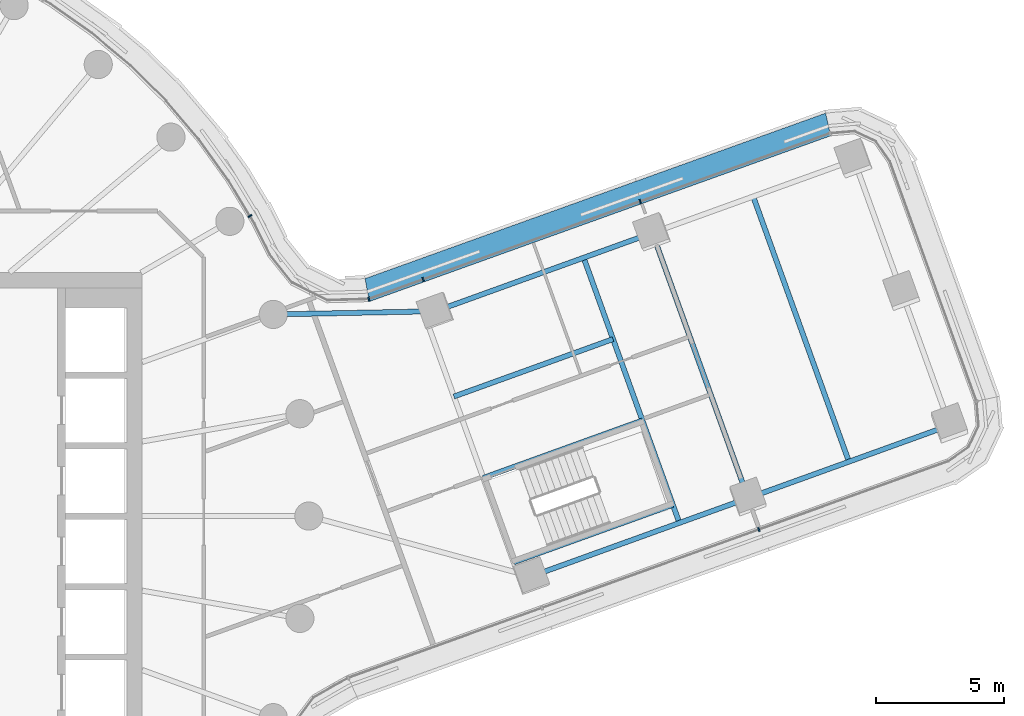
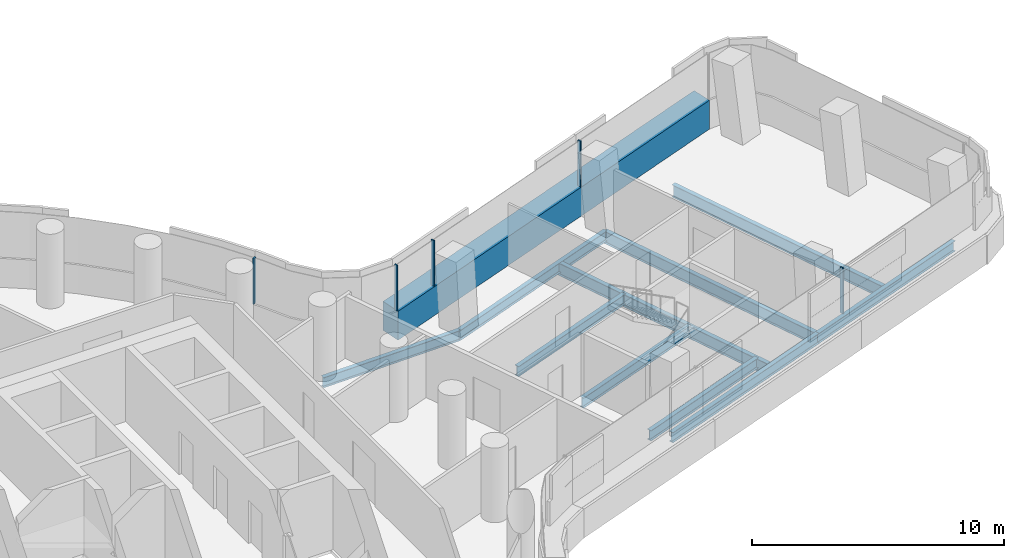
# One storey, part 11 of 30: 10 beams, 6 members, 3 elements without a shape of their own.
"""IFC4 building model written with IfcOpenShell, lengths in metres."""

from ifc_helpers import new_model, si_unit, direction, frame, origin, origin_2d, place, context, subcontext, project, spatial, polyline, rectangle, i_section, outline, extrude, material, layer, layer_set, material_profile, profile_set, type_object, element, aggregate, save


model = new_model("IFC4")

# Units and contexts
model_context = context("Model", 3, precision=1e-05, world=origin(), true_north=direction((0.0, 1.0)))
body_context = subcontext(model_context, "Body", "Model", "MODEL_VIEW")
ifc_project = project(units=[si_unit("LENGTHUNIT", "METRE"), si_unit("AREAUNIT", "SQUARE_METRE"), si_unit("VOLUMEUNIT", "CUBIC_METRE"), si_unit("PLANEANGLEUNIT", "RADIAN"), si_unit("MASSUNIT", "GRAM", prefix="KILO")], contexts=[model_context])

# Site, building, storey
site_placement = place(None, origin())
site = spatial("IfcSite", under=ifc_project, at=site_placement, CompositionType="ELEMENT")
building_placement = place(site_placement, origin())
building = spatial("IfcBuilding", under=site, at=building_placement, Name="Tamarind Cross Interchange Tower", CompositionType="ELEMENT")
storey_placement = place(building_placement, frame((0.0, 0.0, 106.0)))
storey = spatial("IfcBuildingStorey", under=building, at=storey_placement, Name="L25", CompositionType="ELEMENT", Elevation=106.0)

# Beams
ifc_material_1 = material(Name="Steel Q355B", Category="steel")
ifc_material_profile_1 = material_profile(ifc_material_1, i_section(OverallWidth=0.198974609375, OverallDepth=0.49609375, WebThickness=0.009033203125, FlangeThickness=0.013916015625, FilletRadius=0.012939453125, at=origin_2d()), Name="HN 496x199x9x14")
ifc_profile_set_1 = profile_set([ifc_material_profile_1], Name="Steel Q355B")
beam_type_1 = type_object("IfcBeamType", Name="Composite beam HN 496x199x9x14 Q355B", PredefinedType="BEAM", material=ifc_profile_set_1)
beam_1_placement = place(storey_placement, frame((48.010009765625, 3.54296875, -0.387939453125), z_axis=(-0.94057383392, -0.339589256227, 0.0), x_axis=(0.339589256227, -0.94057383392, 0.0)))
element("IfcBeam", 1, at=beam_1_placement, inside=storey, type_object=beam_type_1, Name="Beam E-edgeem5", PredefinedType="BEAM", context=body_context, shape_type="SweptSolid", body=[
    extrude(i_section(OverallWidth=0.198974609375, OverallDepth=0.49609375, WebThickness=0.009033203125, FlangeThickness=0.013916015625, FilletRadius=0.012939453125, at=origin_2d()), origin(), (0.0, 0.0, 1.0), 8.36767578125),
])
for number, where, z_axis, x_axis, name in (
    (2, (40.1396484375, 0.701416015625, -0.387939453125), (-0.940578209837, -0.339577135833, 0.0), (0.339577135833, -0.940578209837, 0.0), "Beam E-edgeem6"),
    (3, (36.404296875, 11.0478515625, -0.387939453125), (-0.940578209837, -0.339577135833, 0.0), (0.339577135833, -0.940578209837, 0.0), "Beam E-edgeep3"),
):
    element("IfcBeam", number, at=place(storey_placement, frame(where, z_axis=z_axis, x_axis=x_axis)), inside=storey, type_object=beam_type_1, Name=name, PredefinedType="BEAM", context=body_context, shape_type="SweptSolid", body=[
        extrude(i_section(OverallWidth=0.198974609375, OverallDepth=0.49609375, WebThickness=0.009033203125, FlangeThickness=0.013916015625, FilletRadius=0.012939453125, at=origin_2d()), origin(), (0.0, 0.0, 1.0), 8.999755859375),
    ])
beam_2_placement = place(storey_placement, frame((27.939208984375, 7.99169921875, -0.387939453125), z_axis=(-0.999804081602, -0.019793898343, 0.0), x_axis=(0.019793898343, -0.999804081602, 0.0)))
element("IfcBeam", 4, at=beam_2_placement, inside=storey, type_object=beam_type_1, Name="Beam E-linkep", PredefinedType="BEAM", context=body_context, shape_type="SweptSolid", body=[
    extrude(i_section(OverallWidth=0.198974609375, OverallDepth=0.49609375, WebThickness=0.009033203125, FlangeThickness=0.013916015625, FilletRadius=0.012939453125, at=origin_2d()), origin(), (0.0, 0.0, 1.0), 6.327392578125),
])
for number, where, z_axis, x_axis, name in (
    (5, (30.99658203125, -1.802001953125, -0.387939453125), (0.940577203245, 0.339579923931, 0.0), (-0.339579923931, 0.940577203245, 0.0), "Beam E-tr0"),
    (6, (29.80810546875, 1.489990234375, -0.387939453125), (0.940577203245, 0.339579923931, 0.0), (-0.339579923931, 0.940577203245, 0.0), "Beam E-tr1"),
    (7, (28.661865234375, 4.664306640625, -0.387939453125), (0.940577203245, 0.339579923931, 0.0), (-0.339579923931, 0.940577203245, 0.0), "Beam E-stripp"),
):
    element("IfcBeam", number, at=place(storey_placement, frame(where, z_axis=z_axis, x_axis=x_axis)), inside=storey, type_object=beam_type_1, Name=name, PredefinedType="BEAM", context=body_context, shape_type="SweptSolid", body=[
        extrude(i_section(OverallWidth=0.198974609375, OverallDepth=0.49609375, WebThickness=0.009033203125, FlangeThickness=0.013916015625, FilletRadius=0.012939453125, at=origin_2d()), origin(), (0.0, 0.0, 1.0), 6.599853515625),
    ])
ifc_material_profile_2 = material_profile(ifc_material_1, i_section(OverallWidth=0.199951171875, OverallDepth=0.60009765625, WebThickness=0.010986328125, FlangeThickness=0.01708984375, FilletRadius=0.012939453125, at=origin_2d()), Name="HN 600x200x11x17")
ifc_profile_set_2 = profile_set([ifc_material_profile_2], Name="Steel Q355B")
beam_type_2 = type_object("IfcBeamType", Name="Composite beam HN 600x200x11x17 Q355B", PredefinedType="BEAM", material=ifc_profile_set_2)
for number, where, z_axis, x_axis, name in (
    (8, (37.458984375, -0.266357421875, -0.43994140625), (-0.33957519797, 0.940578909462, 0.0), (-0.940578909462, -0.33957519797, 0.0), "Beam E-x364"),
    (9, (40.1396484375, 0.701416015625, -0.43994140625), (-0.33957519797, 0.940578909462, 0.0), (-0.940578909462, -0.33957519797, 0.0), "Beam E-x393"),
):
    element("IfcBeam", number, at=place(storey_placement, frame(where, z_axis=z_axis, x_axis=x_axis)), inside=storey, type_object=beam_type_2, Name=name, PredefinedType="BEAM", context=body_context, shape_type="SweptSolid", body=[
        extrude(i_section(OverallWidth=0.199951171875, OverallDepth=0.60009765625, WebThickness=0.010986328125, FlangeThickness=0.01708984375, FilletRadius=0.012939453125, at=origin_2d()), origin(), (0.0, 0.0, 1.0), 11.0),
    ])
beam_3_placement = place(storey_placement, frame((44.07470703125, 2.122314453125, -0.43994140625), z_axis=(-0.339582286957, 0.940576350109, 0.0), x_axis=(-0.940576350109, -0.339582286957, 0.0)))
element("IfcBeam", 10, at=beam_3_placement, inside=storey, type_object=beam_type_2, Name="Beam E-x435", PredefinedType="BEAM", context=body_context, shape_type="SweptSolid", body=[
    extrude(i_section(OverallWidth=0.199951171875, OverallDepth=0.60009765625, WebThickness=0.010986328125, FlangeThickness=0.01708984375, FilletRadius=0.012939453125, at=origin_2d()), origin(), (0.0, 0.0, 1.0), 10.999755859375),
])

# Curtain wall, member
ifc_material_2 = material(Name="Aluminium 6063-T6", Category="aluminium")
ifc_layer = layer(ifc_material_2, 0.159912109375)
ifc_layer_set = layer_set([ifc_layer], Name="Aluminium 6063-T6")
curtain_wall_type = type_object("IfcCurtainWallType", Name="Office curtain wall, 9.0 m bays", PredefinedType="NOTDEFINED", material=ifc_layer_set)
curtain_wall_1_placement = place(storey_placement, origin())
curtain_wall_1 = element("IfcCurtainWall", 11, at=curtain_wall_1_placement, inside=storey, type_object=curtain_wall_type, Name="CWS-L25-09", PredefinedType="NOTDEFINED")
ifc_material_3 = material(Name="Aluminium and insulated spandrel panel", Category="aluminium")
member_type_1 = type_object("IfcMemberType", Name="Floor-edge blade transom", PredefinedType="USERDEFINED", material=ifc_material_3)
member_1_placement = place(storey_placement, origin())
member_1 = element("IfcMember", 12, at=member_1_placement, type_object=member_type_1, Name="CWT-L25-09", ObjectType="TRANSOM", PredefinedType="USERDEFINED", context=body_context, shape_type="SweptSolid", body=[
    extrude(outline(polyline([(43.359375, 14.834716796875), (25.362060546875, 8.368408203125), (25.19287109375, 9.263916015625), (43.166015625, 15.7216796875), (43.359375, 14.834716796875)])), origin(), (0.0, 0.0, 1.0), 1.39990234375),
])

curtain_wall_2_placement = place(storey_placement, origin())
curtain_wall_2 = element("IfcCurtainWall", 13, at=curtain_wall_2_placement, inside=storey, type_object=curtain_wall_type, Name="CWS-L25-07", PredefinedType="NOTDEFINED")
ifc_material_profile_3 = material_profile(ifc_material_2, rectangle(XDim=0.06005859375, YDim=0.159912109375, at=origin_2d()), Name="Mullion CW1")
ifc_profile_set_3 = profile_set([ifc_material_profile_3], Name="Aluminium 6063-T6")
member_type_2 = type_object("IfcMemberType", Name="Mullion CW1", PredefinedType="MULLION", material=ifc_profile_set_3)
member_2_placement = place(storey_placement, frame((40.5595703125, -0.529052734375, 1.39990234375), z_axis=(0.0, 0.0, 1.0), x_axis=(0.94057769422, 0.339578564011, 0.0)))
member_2 = element("IfcMember", 14, at=member_2_placement, type_object=member_type_2, Name="CWM-L25-07-02", PredefinedType="MULLION", context=body_context, shape_type="SweptSolid", body=[
    extrude(rectangle(XDim=0.06005859375, YDim=0.159912109375, at=origin_2d()), origin(), (0.0, 0.0, 1.0), 2.210205078125),
])
aggregate(curtain_wall_2, [member_2])

# Member
member_3_placement = place(storey_placement, frame((35.931640625, 12.272216796875, 1.39990234375), z_axis=(0.0, 0.0, 1.0), x_axis=(-0.941099800074, -0.338128919647, 0.0)))
member_3 = element("IfcMember", 15, at=member_3_placement, type_object=member_type_2, Name="CWM-L25-09-01", PredefinedType="MULLION", context=body_context, shape_type="SweptSolid", body=[
    extrude(rectangle(XDim=0.06005859375, YDim=0.159912109375, at=origin_2d()), origin(), (0.0, 0.0, 1.0), 2.210205078125),
])

member_4_placement = place(storey_placement, frame((27.459228515625, 9.228271484375, 1.39990234375), z_axis=(0.0, 0.0, 1.0), x_axis=(-0.941099800074, -0.338128919647, 0.0)))
member_4 = element("IfcMember", 16, at=member_4_placement, type_object=member_type_2, Name="CWM-L25-09-02", PredefinedType="MULLION", context=body_context, shape_type="SweptSolid", body=[
    extrude(rectangle(XDim=0.06005859375, YDim=0.159912109375, at=origin_2d()), origin(), (0.0, 0.0, 1.0), 2.210205078125),
])

aggregate(curtain_wall_1, [member_3, member_4, member_1])

# Curtain wall, members
curtain_wall_3_placement = place(storey_placement, origin())
curtain_wall_3 = element("IfcCurtainWall", 17, at=curtain_wall_3_placement, inside=storey, type_object=curtain_wall_type, Name="CWS-L25-10", PredefinedType="NOTDEFINED")
member_5_placement = place(storey_placement, frame((25.34326171875, 8.468017578125, 1.39990234375), z_axis=(0.0, 0.0, 1.0), x_axis=(-0.982624059404, -0.185606998467, 0.0)))
member_5 = element("IfcMember", 18, at=member_5_placement, type_object=member_type_2, Name="CWM-L25-10-00", PredefinedType="MULLION", context=body_context, shape_type="SweptSolid", body=[
    extrude(rectangle(XDim=0.06005859375, YDim=0.159912109375, at=origin_2d()), origin(), (0.0, 0.0, 1.0), 2.210205078125),
])
member_6_placement = place(storey_placement, frame((20.703857421875, 11.706298828125, 1.39990234375), z_axis=(0.0, 0.0, 1.0), x_axis=(-0.515577308909, 0.856843065292, 0.0)))
member_6 = element("IfcMember", 19, at=member_6_placement, type_object=member_type_2, Name="CWM-L25-10-01", PredefinedType="MULLION", context=body_context, shape_type="SweptSolid", body=[
    extrude(rectangle(XDim=0.06005859375, YDim=0.159912109375, at=origin_2d()), origin(), (0.0, 0.0, 1.0), 2.210205078125),
])
aggregate(curtain_wall_3, [member_5, member_6])

save(model, "model.ifc")
